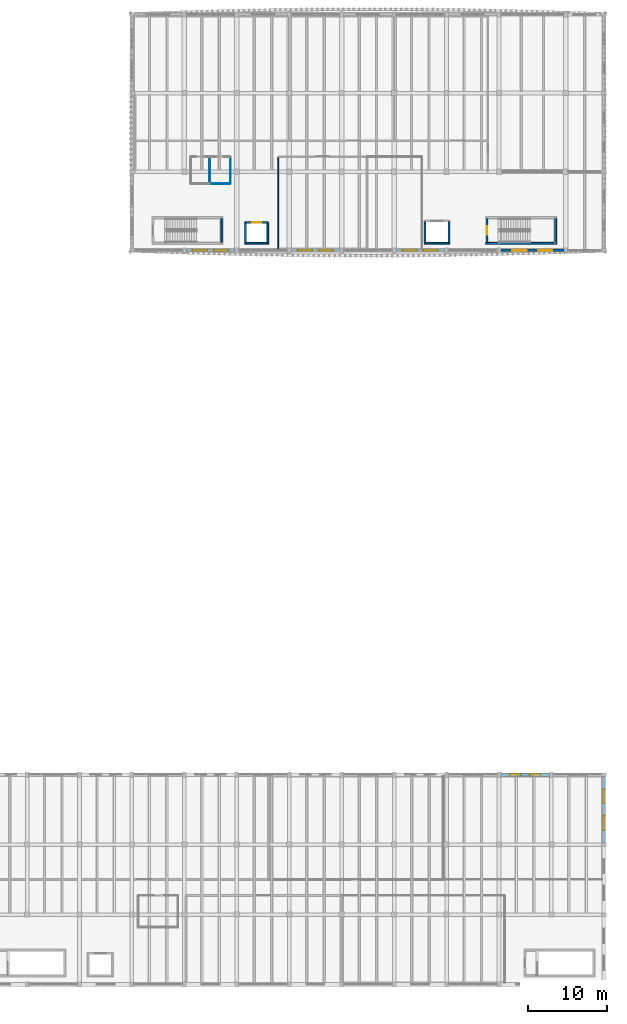
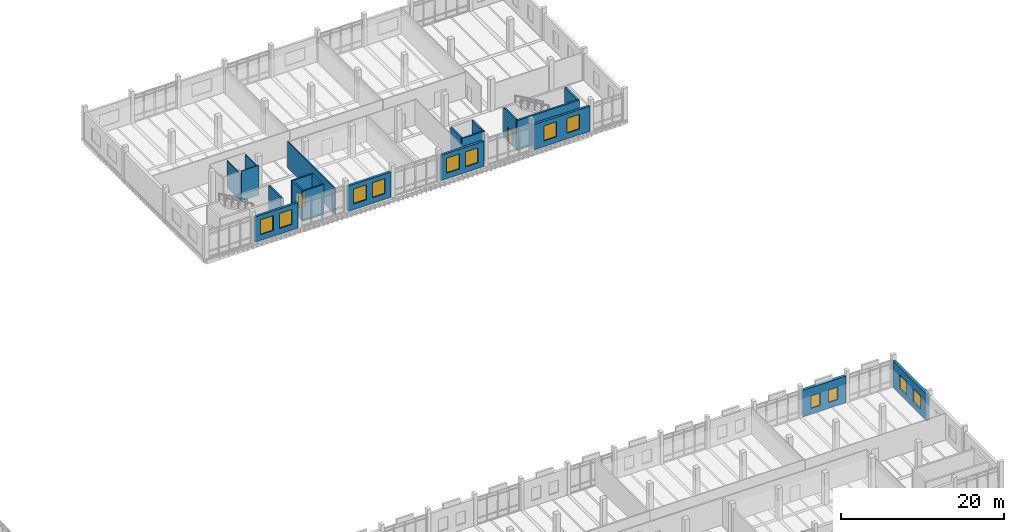
# One storey, part 56 of 76: 21 walls, 12 windows, 2 doors, 14 openings.
"""IFC4 building model written with IfcOpenShell, lengths in metres."""

from ifc_helpers import new_model, si_unit, direction, frame, frame_2d, origin, place, context, subcontext, project, spatial, rectangle, extrude, material, layer, layer_set, type_object, element, fill, save


model = new_model("IFC4")

# Units and contexts
model_context = context("Model", 3, precision=1e-05, world=origin(), true_north=direction((0.0, 1.0)))
body_context = subcontext(model_context, "Body", "Model", "MODEL_VIEW")
ifc_project = project(units=[si_unit("LENGTHUNIT", "METRE"), si_unit("AREAUNIT", "SQUARE_METRE"), si_unit("VOLUMEUNIT", "CUBIC_METRE"), si_unit("PLANEANGLEUNIT", "RADIAN"), si_unit("MASSUNIT", "GRAM", prefix="KILO")], contexts=[model_context])

# Site, building, storey
site_placement = place(None, origin())
site = spatial("IfcSite", under=ifc_project, at=site_placement, CompositionType="ELEMENT")
building_placement = place(site_placement, origin())
building = spatial("IfcBuilding", under=site, at=building_placement, Name="Dornvale Research Institute", CompositionType="ELEMENT")
storey_placement = place(building_placement, frame((0.0, 0.0, 15.0)))
storey = spatial("IfcBuildingStorey", under=building, at=storey_placement, Name="L03", CompositionType="ELEMENT", Elevation=15.0)

# Walls
ifc_material_1 = material(Name="Acoustic Insulated Double-Stud Laboratory Partition")
ifc_layer_1 = layer(ifc_material_1, 0.14990234375)
ifc_layer_set_1 = layer_set([ifc_layer_1], Name="Acoustic Insulated Double-Stud Laboratory Partition")
wall_type_1 = type_object("IfcWallType", Name="Partition_Lab_150", PredefinedType="PARTITIONING", material=ifc_layer_set_1)
wall_1_placement = place(storey_placement, frame((137.199951171875, 92.43994140625, 0.0), z_axis=(0.0, 0.0, 1.0), x_axis=(0.0, 1.0, 0.0)))
element("IfcWall", 1, at=wall_1_placement, inside=storey, type_object=wall_type_1, Name="L03 V4 interior partition #372", PredefinedType="PARTITIONING", context=body_context, shape_type="SweptSolid", body=[
    extrude(rectangle(XDim=11.670166015625, YDim=0.14990234375, at=frame_2d((5.8349609375, 0.0))), origin(), (0.0, 0.0, 1.0), 3.929931640625),
])
ifc_material_2 = material(Name="Acoustic Insulated Double-Stud Laboratory Partition")
ifc_layer_2 = layer(ifc_material_2, 0.10009765625)
ifc_layer_set_2 = layer_set([ifc_layer_2], Name="Acoustic Insulated Double-Stud Laboratory Partition")
wall_type_2 = type_object("IfcWallType", Name="Partition_Office_100", PredefinedType="PARTITIONING", material=ifc_layer_set_2)
wall_2_placement = place(storey_placement, frame((128.60009765625, 100.864990234375, 0.0), z_axis=(0.0, 0.0, 1.0), x_axis=(0.0, 1.0, 0.0)))
element("IfcWall", 2, at=wall_2_placement, inside=storey, type_object=wall_type_2, Name="L03 V4 interior partition #356", PredefinedType="PARTITIONING", context=body_context, shape_type="SweptSolid", body=[
    extrude(rectangle(XDim=3.27001953125, YDim=0.10009765625, at=frame_2d((1.635009765625, 0.0))), origin(), (0.0, 0.0, 1.0), 4.06494140625),
])
wall_3_placement = place(storey_placement, frame((128.6650390625, 100.800048828125, 0.0), z_axis=(0.0, 0.0, 1.0), x_axis=(1.0, 0.0, 0.0)))
element("IfcWall", 3, at=wall_3_placement, inside=storey, type_object=wall_type_2, Name="L03 V4 interior partition #357", PredefinedType="PARTITIONING", context=body_context, shape_type="SweptSolid", body=[
    extrude(rectangle(XDim=2.534912109375, YDim=0.10009765625, at=frame_2d((1.267578125, 0.0))), origin(), (0.0, 0.0, 1.0), 4.4599609375),
])
wall_4_placement = place(storey_placement, frame((131.199951171875, 100.864990234375, 0.0), z_axis=(0.0, 0.0, 1.0), x_axis=(0.0, 1.0, 0.0)))
element("IfcWall", 4, at=wall_4_placement, inside=storey, type_object=wall_type_2, Name="L03 V4 interior partition #359", PredefinedType="PARTITIONING", context=body_context, shape_type="SweptSolid", body=[
    extrude(rectangle(XDim=3.27001953125, YDim=0.10009765625, at=frame_2d((1.635009765625, 0.0))), origin(), (0.0, 0.0, 1.0), 4.06494140625),
])
ifc_material_3 = material(Name="Concrete f'c 45 MPa (C35/45)", Category="concrete")
ifc_layer_3 = layer(ifc_material_3, 0.25)
ifc_layer_set_3 = layer_set([ifc_layer_3], Name="Concrete f'c 45 MPa (C35/45)")
wall_type_3 = type_object("IfcWallType", Name="ShearWall_Core_250", PredefinedType="SHEAR", material=ifc_layer_set_3)
wall_5_placement = place(storey_placement, frame((130.125, 93.39990234375, 0.0), z_axis=(0.0, 0.0, 1.0), x_axis=(0.0, 1.0, 0.0)))
element("IfcWall", 5, at=wall_5_placement, inside=storey, type_object=wall_type_3, Name="L03 ST-3 shaft shear wall east", PredefinedType="SHEAR", context=body_context, shape_type="SweptSolid", body=[
    extrude(rectangle(XDim=3.0, YDim=0.25, at=frame_2d((1.5, 0.0))), origin(), (0.0, 0.0, 1.0), 4.47998046875),
])
wall_6_placement = place(storey_placement, frame((163.35009765625, 93.27490234375, 0.0), z_axis=(0.0, 0.0, 1.0), x_axis=(1.0, 0.0, 0.0)))
element("IfcWall", 6, at=wall_6_placement, inside=storey, type_object=wall_type_3, Name="L03 ST-4 shaft shear wall south", PredefinedType="SHEAR", context=body_context, shape_type="SweptSolid", body=[
    extrude(rectangle(XDim=8.89990234375, YDim=0.25, at=frame_2d((4.449951171875, 0.0))), origin(), (0.0, 0.0, 1.0), 4.47998046875),
])

# Wall, opening, door
wall_7_placement = place(storey_placement, frame((163.47509765625, 93.39990234375, 0.0), z_axis=(0.0, 0.0, 1.0), x_axis=(0.0, 1.0, 0.0)))
wall_7 = element("IfcWall", 7, at=wall_7_placement, inside=storey, type_object=wall_type_3, Name="L03 ST-4 shaft shear wall west", PredefinedType="SHEAR", context=body_context, shape_type="SweptSolid", body=[
    extrude(rectangle(XDim=3.0, YDim=0.25, at=frame_2d((1.5, 0.0))), origin(), (0.0, 0.0, 1.0), 4.47998046875),
])
opening_1_placement = place(wall_7_placement, frame((0.9599609375, 0.0, 0.0)))
opening_1 = element("IfcOpeningElement", 8, at=opening_1_placement, cuts=wall_7, Name="Opening SD-02", PredefinedType="OPENING", context=body_context, shape_type="SweptSolid", body=[
    extrude(rectangle(XDim=1.080078125, YDim=2.199951171875, at=frame_2d((0.5400390625, 1.10009765625))), frame((0.0, 0.139892578125, 0.0), z_axis=(0.0, -1.0, 0.0), x_axis=(1.0, 0.0, 0.0)), (0.0, 0.0, 1.0), 0.280029296875),
])
ifc_material_4 = material(Name="Insulated Fire-Rated Hollow Metal Door Assembly")
door_type_1 = type_object("IfcDoorType", Name="Door_Stair_1080x2200", OperationType="SINGLE_SWING_LEFT", PredefinedType="DOOR", material=ifc_material_4)
door_1_placement = place(opening_1_placement, origin())
door_1 = element("IfcDoor", 9, at=door_1_placement, inside=storey, type_object=door_type_1, Name="L03 ST-4 exit stair door #37", OperationType="SINGLE_SWING_RIGHT", OverallHeight=2.199951171875, OverallWidth=1.080078125, PredefinedType="DOOR", context=body_context, shape_type="SweptSolid", body=[
    extrude(rectangle(XDim=1.080078125, YDim=2.199951171875, at=frame_2d((0.5400390625, 1.10009765625))), frame((0.0, 0.02490234375, 0.0), z_axis=(0.0, -1.0, 0.0), x_axis=(1.0, 0.0, 0.0)), (0.0, 0.0, 1.0), 0.050048828125),
])
fill(opening_1, door_1)

# Walls
wall_8_placement = place(storey_placement, frame((172.125, 93.39990234375, 0.0), z_axis=(0.0, 0.0, 1.0), x_axis=(0.0, 1.0, 0.0)))
element("IfcWall", 10, at=wall_8_placement, inside=storey, type_object=wall_type_3, Name="L03 ST-4 shaft shear wall east", PredefinedType="SHEAR", context=body_context, shape_type="SweptSolid", body=[
    extrude(rectangle(XDim=3.0, YDim=0.25, at=frame_2d((1.5, 0.0))), origin(), (0.0, 0.0, 1.0), 4.47998046875),
])
ifc_material_5 = material(Name="Concrete f'c 45 MPa (C35/45)", Category="concrete")
ifc_layer_4 = layer(ifc_material_5, 0.219970703125)
ifc_layer_set_4 = layer_set([ifc_layer_4], Name="Concrete f'c 45 MPa (C35/45)")
wall_type_4 = type_object("IfcWallType", Name="ShearWall_Shaft_220", PredefinedType="SHEAR", material=ifc_layer_set_4)
wall_9_placement = place(storey_placement, frame((132.97998046875, 93.2900390625, 0.0), z_axis=(0.0, 0.0, 1.0), x_axis=(1.0, 0.0, 0.0)))
element("IfcWall", 11, at=wall_9_placement, inside=storey, type_object=wall_type_4, Name="L03 LP2 elevator shaft wall south", PredefinedType="SHEAR", context=body_context, shape_type="SweptSolid", body=[
    extrude(rectangle(XDim=3.0400390625, YDim=0.219970703125, at=frame_2d((1.52001953125, 0.0))), origin(), (0.0, 0.0, 1.0), 4.47998046875),
])

# Wall, opening, door
wall_10_placement = place(storey_placement, frame((132.97998046875, 95.909912109375, 0.0), z_axis=(0.0, 0.0, 1.0), x_axis=(1.0, 0.0, 0.0)))
wall_10 = element("IfcWall", 12, at=wall_10_placement, inside=storey, type_object=wall_type_4, Name="L03 LP2 elevator shaft wall north", PredefinedType="SHEAR", context=body_context, shape_type="SweptSolid", body=[
    extrude(rectangle(XDim=3.0400390625, YDim=0.219970703125, at=frame_2d((1.52001953125, 0.0))), origin(), (0.0, 0.0, 1.0), 4.47998046875),
])
opening_2_placement = place(wall_10_placement, frame((0.969970703125, 0.0, 0.0)))
opening_2 = element("IfcOpeningElement", 13, at=opening_2_placement, cuts=wall_10, Name="Opening LD-02", PredefinedType="OPENING", context=body_context, shape_type="SweptSolid", body=[
    extrude(rectangle(XDim=1.10009765625, YDim=2.199951171875, at=frame_2d((0.550048828125, 1.10009765625))), frame((0.0, 0.125, 0.0), z_axis=(0.0, -1.0, 0.0), x_axis=(1.0, 0.0, 0.0)), (0.0, 0.0, 1.0), 0.25),
])
ifc_material_6 = material(Name="Brushed Stainless Steel Sliding Elevator Landing Door", Category="steel")
door_type_2 = type_object("IfcDoorType", Name="Door_LiftLanding_Pass_1100x2200", OperationType="SINGLE_SWING_LEFT", PredefinedType="DOOR", material=ifc_material_6)
door_2_placement = place(opening_2_placement, origin())
door_2 = element("IfcDoor", 14, at=door_2_placement, inside=storey, type_object=door_type_2, Name="L03 LP2 sliding elevator landing door #41", OperationType="SLIDING_TO_LEFT", OverallHeight=2.199951171875, OverallWidth=1.10009765625, PredefinedType="DOOR", context=body_context, shape_type="SweptSolid", body=[
    extrude(rectangle(XDim=1.10009765625, YDim=2.199951171875, at=frame_2d((0.550048828125, 1.10009765625))), frame((0.0, 0.02490234375, 0.0), z_axis=(0.0, -1.0, 0.0), x_axis=(1.0, 0.0, 0.0)), (0.0, 0.0, 1.0), 0.050048828125),
])
fill(opening_2, door_2)

# Walls
for number, where, z_axis, x_axis, name in (
    (15, (133.090087890625, 93.39990234375, 0.0), (0.0, 0.0, 1.0), (0.0, 1.0, 0.0), "L03 LP2 elevator shaft wall west"),
    (16, (135.909912109375, 93.39990234375, 0.0), (0.0, 0.0, 1.0), (0.0, 1.0, 0.0), "L03 LP2 elevator shaft wall east"),
):
    element("IfcWall", number, at=place(storey_placement, frame(where, z_axis=z_axis, x_axis=x_axis)), inside=storey, type_object=wall_type_4, Name=name, PredefinedType="SHEAR", context=body_context, shape_type="SweptSolid", body=[
        extrude(rectangle(XDim=2.400146484375, YDim=0.219970703125, at=frame_2d((1.2001953125, 0.0))), origin(), (0.0, 0.0, 1.0), 4.47998046875),
    ])
wall_11_placement = place(storey_placement, frame((155.580078125, 93.2900390625, 0.0), z_axis=(0.0, 0.0, 1.0), x_axis=(1.0, 0.0, 0.0)))
element("IfcWall", 17, at=wall_11_placement, inside=storey, type_object=wall_type_4, Name="L03 LS1 elevator shaft wall south", PredefinedType="SHEAR", context=body_context, shape_type="SweptSolid", body=[
    extrude(rectangle(XDim=3.239990234375, YDim=0.219970703125, at=frame_2d((1.6201171875, 0.0))), origin(), (0.0, 0.0, 1.0), 4.47998046875),
])
for number, where, z_axis, x_axis, name in (
    (18, (155.68994140625, 93.39990234375, 0.0), (0.0, 0.0, 1.0), (0.0, 1.0, 0.0), "L03 LS1 elevator shaft wall west"),
    (19, (158.7099609375, 93.39990234375, 0.0), (0.0, 0.0, 1.0), (0.0, 1.0, 0.0), "L03 LS1 elevator shaft wall east"),
):
    element("IfcWall", number, at=place(storey_placement, frame(where, z_axis=z_axis, x_axis=x_axis)), inside=storey, type_object=wall_type_4, Name=name, PredefinedType="SHEAR", context=body_context, shape_type="SweptSolid", body=[
        extrude(rectangle(XDim=2.60009765625, YDim=0.219970703125, at=frame_2d((1.300048828125, 0.0))), origin(), (0.0, 0.0, 1.0), 4.47998046875),
    ])

# Wall, openings, windows
ifc_material_7 = material(Name="Catalan Pressed Brick and Insulated Cavity Assembly", Category="masonry")
ifc_layer_5 = layer(ifc_material_7, 0.320068359375)
ifc_layer_set_5 = layer_set([ifc_layer_5], Name="Catalan Pressed Brick and Insulated Cavity Assembly")
wall_type_5 = type_object("IfcWallType", Name="StandardWall_BrickCavity_320", PredefinedType="STANDARD", material=ifc_layer_set_5)
wall_12_placement = place(storey_placement, frame((173.175048828125, 92.39990234375, 0.0), z_axis=(0.0, 0.0, 1.0), x_axis=(-1.0, 0.0, 0.0)))
wall_12 = element("IfcWall", 20, at=wall_12_placement, inside=storey, type_object=wall_type_5, Name="L03 V4 south exterior wall #242", PredefinedType="STANDARD", context=body_context, shape_type="SweptSolid", body=[
    extrude(rectangle(XDim=7.949951171875, YDim=0.320068359375, at=frame_2d((3.97509765625, 0.0))), origin(), (0.0, 0.0, 1.0), 3.780029296875),
])
opening_3_placement = place(wall_12_placement, frame((1.449951171875, 0.0, 0.85009765625)))
opening_3 = element("IfcOpeningElement", 21, at=opening_3_placement, cuts=wall_12, Name="Opening W-41", PredefinedType="OPENING", context=body_context, shape_type="SweptSolid", body=[
    extrude(rectangle(XDim=1.800048828125, YDim=2.239990234375, at=frame_2d((0.89990234375, 1.1201171875))), frame((0.0, 0.175048828125, 0.0), z_axis=(0.0, -1.0, 0.0), x_axis=(1.0, 0.0, 0.0)), (0.0, 0.0, 1.0), 0.35009765625),
])
opening_4_placement = place(wall_12_placement, frame((4.699951171875, 0.0, 0.85009765625)))
opening_4 = element("IfcOpeningElement", 22, at=opening_4_placement, cuts=wall_12, Name="Opening W-41", PredefinedType="OPENING", context=body_context, shape_type="SweptSolid", body=[
    extrude(rectangle(XDim=1.800048828125, YDim=2.239990234375, at=frame_2d((0.89990234375, 1.1201171875))), frame((0.0, 0.175048828125, 0.0), z_axis=(0.0, -1.0, 0.0), x_axis=(1.0, 0.0, 0.0)), (0.0, 0.0, 1.0), 0.35009765625),
])
ifc_material_8 = material(Name="Low-E Argon Double Insulating Glazing Unit", Category="glass")
window_type_1 = type_object("IfcWindowType", Name="Window_Alu_1800x2240_41", PartitioningType="DOUBLE_PANEL_VERTICAL", PredefinedType="WINDOW", material=ifc_material_8)
window_1_placement = place(opening_3_placement, origin())
window_1 = element("IfcWindow", 23, at=window_1_placement, inside=storey, type_object=window_type_1, Name="L03 V4 facade window W-41 #326", OverallHeight=2.239990234375, OverallWidth=1.800048828125, PartitioningType="DOUBLE_PANEL_VERTICAL", PredefinedType="WINDOW", context=body_context, shape_type="SweptSolid", body=[
    extrude(rectangle(XDim=1.800048828125, YDim=2.239990234375, at=frame_2d((0.89990234375, 1.1201171875))), frame((0.0, 0.030029296875, 0.0), z_axis=(0.0, -1.0, 0.0), x_axis=(1.0, 0.0, 0.0)), (0.0, 0.0, 1.0), 0.06005859375),
])
fill(opening_3, window_1)
window_2_placement = place(opening_4_placement, origin())
window_2 = element("IfcWindow", 24, at=window_2_placement, inside=storey, type_object=window_type_1, Name="L03 V4 facade window W-41 #327", OverallHeight=2.239990234375, OverallWidth=1.800048828125, PartitioningType="DOUBLE_PANEL_VERTICAL", PredefinedType="WINDOW", context=body_context, shape_type="SweptSolid", body=[
    extrude(rectangle(XDim=1.800048828125, YDim=2.239990234375, at=frame_2d((0.89990234375, 1.1201171875))), frame((0.0, 0.030029296875, 0.0), z_axis=(0.0, -1.0, 0.0), x_axis=(1.0, 0.0, 0.0)), (0.0, 0.0, 1.0), 0.06005859375),
])
fill(opening_4, window_2)

wall_13_placement = place(storey_placement, frame((158.175048828125, 92.39990234375, 0.0), z_axis=(0.0, 0.0, 1.0), x_axis=(-1.0, 0.0, 0.0)))
wall_13 = element("IfcWall", 25, at=wall_13_placement, inside=storey, type_object=wall_type_5, Name="L03 V4 south exterior wall #243", PredefinedType="STANDARD", context=body_context, shape_type="SweptSolid", body=[
    extrude(rectangle(XDim=6.150146484375, YDim=0.320068359375, at=frame_2d((3.0751953125, 0.0))), origin(), (0.0, 0.0, 1.0), 3.780029296875),
])
opening_5_placement = place(wall_13_placement, frame((0.85009765625, 0.0, 0.85009765625)))
opening_5 = element("IfcOpeningElement", 26, at=opening_5_placement, cuts=wall_13, Name="Opening W-41", PredefinedType="OPENING", context=body_context, shape_type="SweptSolid", body=[
    extrude(rectangle(XDim=1.800048828125, YDim=2.239990234375, at=frame_2d((0.89990234375, 1.1201171875))), frame((0.0, 0.175048828125, 0.0), z_axis=(0.0, -1.0, 0.0), x_axis=(1.0, 0.0, 0.0)), (0.0, 0.0, 1.0), 0.35009765625),
])
opening_6_placement = place(wall_13_placement, frame((3.5, 0.0, 0.85009765625)))
opening_6 = element("IfcOpeningElement", 27, at=opening_6_placement, cuts=wall_13, Name="Opening W-41", PredefinedType="OPENING", context=body_context, shape_type="SweptSolid", body=[
    extrude(rectangle(XDim=1.800048828125, YDim=2.239990234375, at=frame_2d((0.89990234375, 1.1201171875))), frame((0.0, 0.175048828125, 0.0), z_axis=(0.0, -1.0, 0.0), x_axis=(1.0, 0.0, 0.0)), (0.0, 0.0, 1.0), 0.35009765625),
])
window_3_placement = place(opening_5_placement, origin())
window_3 = element("IfcWindow", 28, at=window_3_placement, inside=storey, type_object=window_type_1, Name="L03 V4 facade window W-41 #328", OverallHeight=2.239990234375, OverallWidth=1.800048828125, PartitioningType="DOUBLE_PANEL_VERTICAL", PredefinedType="WINDOW", context=body_context, shape_type="SweptSolid", body=[
    extrude(rectangle(XDim=1.800048828125, YDim=2.239990234375, at=frame_2d((0.89990234375, 1.1201171875))), frame((0.0, 0.030029296875, 0.0), z_axis=(0.0, -1.0, 0.0), x_axis=(1.0, 0.0, 0.0)), (0.0, 0.0, 1.0), 0.06005859375),
])
fill(opening_5, window_3)
window_4_placement = place(opening_6_placement, origin())
window_4 = element("IfcWindow", 29, at=window_4_placement, inside=storey, type_object=window_type_1, Name="L03 V4 facade window W-41 #329", OverallHeight=2.239990234375, OverallWidth=1.800048828125, PartitioningType="DOUBLE_PANEL_VERTICAL", PredefinedType="WINDOW", context=body_context, shape_type="SweptSolid", body=[
    extrude(rectangle(XDim=1.800048828125, YDim=2.239990234375, at=frame_2d((0.89990234375, 1.1201171875))), frame((0.0, 0.030029296875, 0.0), z_axis=(0.0, -1.0, 0.0), x_axis=(1.0, 0.0, 0.0)), (0.0, 0.0, 1.0), 0.06005859375),
])
fill(opening_6, window_4)

wall_14_placement = place(storey_placement, frame((144.97509765625, 92.39990234375, 0.0), z_axis=(0.0, 0.0, 1.0), x_axis=(-1.0, 0.0, 0.0)))
wall_14 = element("IfcWall", 30, at=wall_14_placement, inside=storey, type_object=wall_type_5, Name="L03 V4 south exterior wall #244", PredefinedType="STANDARD", context=body_context, shape_type="SweptSolid", body=[
    extrude(rectangle(XDim=6.150146484375, YDim=0.320068359375, at=frame_2d((3.0751953125, 0.0))), origin(), (0.0, 0.0, 1.0), 3.780029296875),
])
opening_7_placement = place(wall_14_placement, frame((0.85009765625, 0.0, 0.85009765625)))
opening_7 = element("IfcOpeningElement", 31, at=opening_7_placement, cuts=wall_14, Name="Opening W-41", PredefinedType="OPENING", context=body_context, shape_type="SweptSolid", body=[
    extrude(rectangle(XDim=1.800048828125, YDim=2.239990234375, at=frame_2d((0.89990234375, 1.1201171875))), frame((0.0, 0.175048828125, 0.0), z_axis=(0.0, -1.0, 0.0), x_axis=(1.0, 0.0, 0.0)), (0.0, 0.0, 1.0), 0.35009765625),
])
opening_8_placement = place(wall_14_placement, frame((3.5, 0.0, 0.85009765625)))
opening_8 = element("IfcOpeningElement", 32, at=opening_8_placement, cuts=wall_14, Name="Opening W-41", PredefinedType="OPENING", context=body_context, shape_type="SweptSolid", body=[
    extrude(rectangle(XDim=1.800048828125, YDim=2.239990234375, at=frame_2d((0.89990234375, 1.1201171875))), frame((0.0, 0.175048828125, 0.0), z_axis=(0.0, -1.0, 0.0), x_axis=(1.0, 0.0, 0.0)), (0.0, 0.0, 1.0), 0.35009765625),
])
window_5_placement = place(opening_7_placement, origin())
window_5 = element("IfcWindow", 33, at=window_5_placement, inside=storey, type_object=window_type_1, Name="L03 V4 facade window W-41 #330", OverallHeight=2.239990234375, OverallWidth=1.800048828125, PartitioningType="DOUBLE_PANEL_VERTICAL", PredefinedType="WINDOW", context=body_context, shape_type="SweptSolid", body=[
    extrude(rectangle(XDim=1.800048828125, YDim=2.239990234375, at=frame_2d((0.89990234375, 1.1201171875))), frame((0.0, 0.030029296875, 0.0), z_axis=(0.0, -1.0, 0.0), x_axis=(1.0, 0.0, 0.0)), (0.0, 0.0, 1.0), 0.06005859375),
])
fill(opening_7, window_5)
window_6_placement = place(opening_8_placement, origin())
window_6 = element("IfcWindow", 34, at=window_6_placement, inside=storey, type_object=window_type_1, Name="L03 V4 facade window W-41 #331", OverallHeight=2.239990234375, OverallWidth=1.800048828125, PartitioningType="DOUBLE_PANEL_VERTICAL", PredefinedType="WINDOW", context=body_context, shape_type="SweptSolid", body=[
    extrude(rectangle(XDim=1.800048828125, YDim=2.239990234375, at=frame_2d((0.89990234375, 1.1201171875))), frame((0.0, 0.030029296875, 0.0), z_axis=(0.0, -1.0, 0.0), x_axis=(1.0, 0.0, 0.0)), (0.0, 0.0, 1.0), 0.06005859375),
])
fill(opening_8, window_6)

wall_15_placement = place(storey_placement, frame((131.77490234375, 92.39990234375, 0.0), z_axis=(0.0, 0.0, 1.0), x_axis=(-1.0, 0.0, 0.0)))
wall_15 = element("IfcWall", 35, at=wall_15_placement, inside=storey, type_object=wall_type_5, Name="L03 V4 south exterior wall #245", PredefinedType="STANDARD", context=body_context, shape_type="SweptSolid", body=[
    extrude(rectangle(XDim=6.14990234375, YDim=0.320068359375, at=frame_2d((3.074951171875, 0.0))), origin(), (0.0, 0.0, 1.0), 3.780029296875),
])
opening_9_placement = place(wall_15_placement, frame((0.85009765625, 0.0, 0.85009765625)))
opening_9 = element("IfcOpeningElement", 36, at=opening_9_placement, cuts=wall_15, Name="Opening W-41", PredefinedType="OPENING", context=body_context, shape_type="SweptSolid", body=[
    extrude(rectangle(XDim=1.800048828125, YDim=2.239990234375, at=frame_2d((0.89990234375, 1.1201171875))), frame((0.0, 0.175048828125, 0.0), z_axis=(0.0, -1.0, 0.0), x_axis=(1.0, 0.0, 0.0)), (0.0, 0.0, 1.0), 0.35009765625),
])
opening_10_placement = place(wall_15_placement, frame((3.5, 0.0, 0.85009765625)))
opening_10 = element("IfcOpeningElement", 37, at=opening_10_placement, cuts=wall_15, Name="Opening W-41", PredefinedType="OPENING", context=body_context, shape_type="SweptSolid", body=[
    extrude(rectangle(XDim=1.800048828125, YDim=2.239990234375, at=frame_2d((0.89990234375, 1.1201171875))), frame((0.0, 0.175048828125, 0.0), z_axis=(0.0, -1.0, 0.0), x_axis=(1.0, 0.0, 0.0)), (0.0, 0.0, 1.0), 0.35009765625),
])
window_7_placement = place(opening_9_placement, origin())
window_7 = element("IfcWindow", 38, at=window_7_placement, inside=storey, type_object=window_type_1, Name="L03 V4 facade window W-41 #332", OverallHeight=2.239990234375, OverallWidth=1.800048828125, PartitioningType="DOUBLE_PANEL_VERTICAL", PredefinedType="WINDOW", context=body_context, shape_type="SweptSolid", body=[
    extrude(rectangle(XDim=1.800048828125, YDim=2.239990234375, at=frame_2d((0.89990234375, 1.1201171875))), frame((0.0, 0.030029296875, 0.0), z_axis=(0.0, -1.0, 0.0), x_axis=(1.0, 0.0, 0.0)), (0.0, 0.0, 1.0), 0.06005859375),
])
fill(opening_9, window_7)
window_8_placement = place(opening_10_placement, origin())
window_8 = element("IfcWindow", 39, at=window_8_placement, inside=storey, type_object=window_type_1, Name="L03 V4 facade window W-41 #333", OverallHeight=2.239990234375, OverallWidth=1.800048828125, PartitioningType="DOUBLE_PANEL_VERTICAL", PredefinedType="WINDOW", context=body_context, shape_type="SweptSolid", body=[
    extrude(rectangle(XDim=1.800048828125, YDim=2.239990234375, at=frame_2d((0.89990234375, 1.1201171875))), frame((0.0, 0.030029296875, 0.0), z_axis=(0.0, -1.0, 0.0), x_axis=(1.0, 0.0, 0.0)), (0.0, 0.0, 1.0), 0.06005859375),
])
fill(opening_10, window_8)

ifc_material_9 = material(Name="Precast Concrete f'c 40 MPa (C32/40) and Glazed Terracotta Backup Wall", Category="masonry")
ifc_layer_6 = layer(ifc_material_9, 0.39990234375)
ifc_layer_set_6 = layer_set([ifc_layer_6], Name="Precast Concrete f'c 40 MPa (C32/40) and Glazed Terracotta Backup Wall")
wall_type_6 = type_object("IfcWallType", Name="StandardWall_CleanroomExt_400", PredefinedType="STANDARD", material=ifc_layer_set_6)
wall_16_placement = place(storey_placement, frame((165.22509765625, 26.39990234375, 0.0), z_axis=(0.0, 0.0, 1.0), x_axis=(1.0, 0.0, 0.0)))
wall_16 = element("IfcWall", 40, at=wall_16_placement, inside=storey, type_object=wall_type_6, Name="L03 V3 north exterior wall #174", PredefinedType="STANDARD", context=body_context, shape_type="SweptSolid", body=[
    extrude(rectangle(XDim=6.14990234375, YDim=0.39990234375, at=frame_2d((3.074951171875, 0.0))), origin(), (0.0, 0.0, 1.0), 3.97998046875),
])
opening_11_placement = place(wall_16_placement, frame((1.14990234375, 0.0, 0.85009765625)))
opening_11 = element("IfcOpeningElement", 41, at=opening_11_placement, cuts=wall_16, Name="Opening W-26", PredefinedType="OPENING", context=body_context, shape_type="SweptSolid", body=[
    extrude(rectangle(XDim=1.35009765625, YDim=1.8798828125, at=frame_2d((0.675048828125, 0.93994140625))), frame((0.0, 0.21484375, 0.0), z_axis=(0.0, -1.0, 0.0), x_axis=(1.0, 0.0, 0.0)), (0.0, 0.0, 1.0), 0.429931640625),
])
opening_12_placement = place(wall_16_placement, frame((3.64990234375, 0.0, 0.85009765625)))
opening_12 = element("IfcOpeningElement", 42, at=opening_12_placement, cuts=wall_16, Name="Opening W-26", PredefinedType="OPENING", context=body_context, shape_type="SweptSolid", body=[
    extrude(rectangle(XDim=1.35009765625, YDim=1.8798828125, at=frame_2d((0.675048828125, 0.93994140625))), frame((0.0, 0.21484375, 0.0), z_axis=(0.0, -1.0, 0.0), x_axis=(1.0, 0.0, 0.0)), (0.0, 0.0, 1.0), 0.429931640625),
])
ifc_material_10 = material(Name="Low-E Argon Double Insulating Glazing Unit", Category="glass")
window_type_2 = type_object("IfcWindowType", Name="Window_Alu_1350x1880_26", PartitioningType="SINGLE_PANEL", PredefinedType="WINDOW", material=ifc_material_10)
window_9_placement = place(opening_11_placement, origin())
window_9 = element("IfcWindow", 43, at=window_9_placement, inside=storey, type_object=window_type_2, Name="L03 V3 facade window W-26 #236", OverallHeight=1.8798828125, OverallWidth=1.35009765625, PartitioningType="SINGLE_PANEL", PredefinedType="WINDOW", context=body_context, shape_type="SweptSolid", body=[
    extrude(rectangle(XDim=1.35009765625, YDim=1.8798828125, at=frame_2d((0.675048828125, 0.93994140625))), frame((0.0, 0.030029296875, 0.0), z_axis=(0.0, -1.0, 0.0), x_axis=(1.0, 0.0, 0.0)), (0.0, 0.0, 1.0), 0.06005859375),
])
fill(opening_11, window_9)
window_10_placement = place(opening_12_placement, origin())
window_10 = element("IfcWindow", 44, at=window_10_placement, inside=storey, type_object=window_type_2, Name="L03 V3 facade window W-26 #237", OverallHeight=1.8798828125, OverallWidth=1.35009765625, PartitioningType="SINGLE_PANEL", PredefinedType="WINDOW", context=body_context, shape_type="SweptSolid", body=[
    extrude(rectangle(XDim=1.35009765625, YDim=1.8798828125, at=frame_2d((0.675048828125, 0.93994140625))), frame((0.0, 0.030029296875, 0.0), z_axis=(0.0, -1.0, 0.0), x_axis=(1.0, 0.0, 0.0)), (0.0, 0.0, 1.0), 0.06005859375),
])
fill(opening_12, window_10)

wall_17_placement = place(storey_placement, frame((178.199951171875, 26.175048828125, 0.0), z_axis=(0.0, 0.0, 1.0), x_axis=(0.0, -1.0, 0.0)))
wall_17 = element("IfcWall", 45, at=wall_17_placement, inside=storey, type_object=wall_type_6, Name="L03 V3 east exterior wall #175", PredefinedType="STANDARD", context=body_context, shape_type="SweptSolid", body=[
    extrude(rectangle(XDim=8.35009765625, YDim=0.39990234375, at=frame_2d((4.175048828125, 0.0))), origin(), (0.0, 0.0, 1.0), 3.97998046875),
])
opening_13_placement = place(wall_17_placement, frame((1.583251953125, 0.0, 0.85009765625)))
opening_13 = element("IfcOpeningElement", 46, at=opening_13_placement, cuts=wall_17, Name="Opening W-29", PredefinedType="OPENING", context=body_context, shape_type="SweptSolid", body=[
    extrude(rectangle(XDim=1.800048828125, YDim=2.0400390625, at=frame_2d((0.89990234375, 1.02001953125))), frame((0.0, 0.21484375, 0.0), z_axis=(0.0, -1.0, 0.0), x_axis=(1.0, 0.0, 0.0)), (0.0, 0.0, 1.0), 0.429931640625),
])
opening_14_placement = place(wall_17_placement, frame((4.966552734375, 0.0, 0.85009765625)))
opening_14 = element("IfcOpeningElement", 47, at=opening_14_placement, cuts=wall_17, Name="Opening W-29", PredefinedType="OPENING", context=body_context, shape_type="SweptSolid", body=[
    extrude(rectangle(XDim=1.800048828125, YDim=2.0400390625, at=frame_2d((0.89990234375, 1.02001953125))), frame((0.0, 0.21484375, 0.0), z_axis=(0.0, -1.0, 0.0), x_axis=(1.0, 0.0, 0.0)), (0.0, 0.0, 1.0), 0.429931640625),
])
ifc_material_11 = material(Name="Low-E Argon Double Insulating Glazing Unit", Category="glass")
window_type_3 = type_object("IfcWindowType", Name="Window_Alu_1800x2040_29", PartitioningType="DOUBLE_PANEL_VERTICAL", PredefinedType="WINDOW", material=ifc_material_11)
window_11_placement = place(opening_13_placement, origin())
window_11 = element("IfcWindow", 48, at=window_11_placement, inside=storey, type_object=window_type_3, Name="L03 V3 facade window W-29 #238", OverallHeight=2.0400390625, OverallWidth=1.800048828125, PartitioningType="DOUBLE_PANEL_VERTICAL", PredefinedType="WINDOW", context=body_context, shape_type="SweptSolid", body=[
    extrude(rectangle(XDim=1.800048828125, YDim=2.0400390625, at=frame_2d((0.89990234375, 1.02001953125))), frame((0.0, 0.030029296875, 0.0), z_axis=(0.0, -1.0, 0.0), x_axis=(1.0, 0.0, 0.0)), (0.0, 0.0, 1.0), 0.06005859375),
])
fill(opening_13, window_11)
window_12_placement = place(opening_14_placement, origin())
window_12 = element("IfcWindow", 49, at=window_12_placement, inside=storey, type_object=window_type_3, Name="L03 V3 facade window W-29 #239", OverallHeight=2.0400390625, OverallWidth=1.800048828125, PartitioningType="DOUBLE_PANEL_VERTICAL", PredefinedType="WINDOW", context=body_context, shape_type="SweptSolid", body=[
    extrude(rectangle(XDim=1.800048828125, YDim=2.0400390625, at=frame_2d((0.89990234375, 1.02001953125))), frame((0.0, 0.030029296875, 0.0), z_axis=(0.0, -1.0, 0.0), x_axis=(1.0, 0.0, 0.0)), (0.0, 0.0, 1.0), 0.06005859375),
])
fill(opening_14, window_12)

save(model, "model.ifc")
